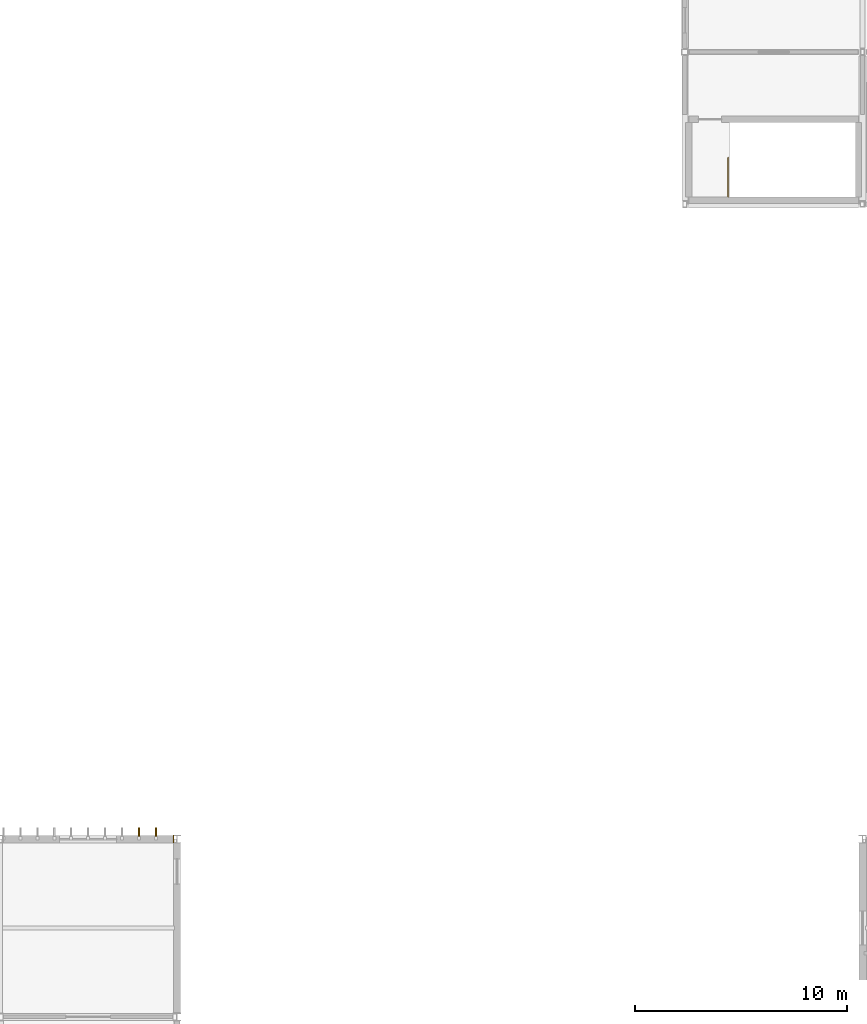
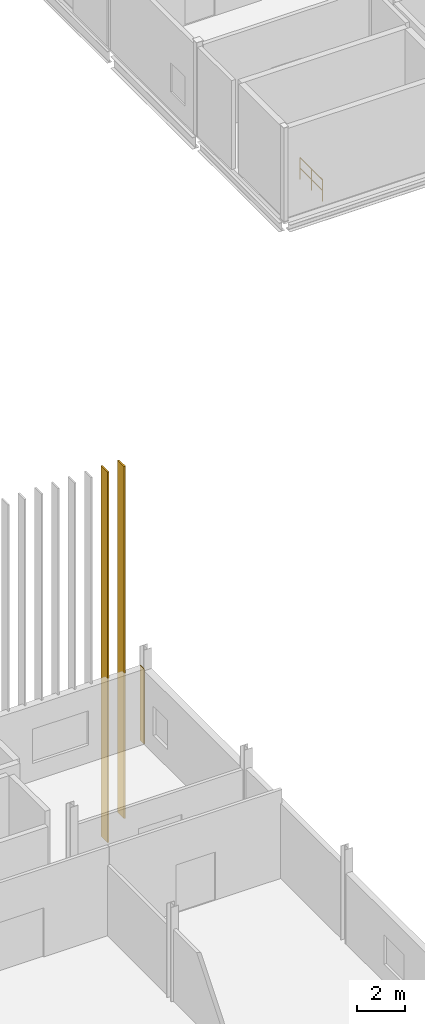
# One storey, part 67 of 72: 3 coverings, 1 railing.
"""IFC4 building model written with IfcOpenShell, lengths in metres."""

from ifc_helpers import new_model, si_unit, direction, frame, origin, origin_2d, place, context, subcontext, project, spatial, polyline, rectangle, circle, outline, extrude, material, layer, layer_set, type_object, element, save


model = new_model("IFC4")

# Units and contexts
model_context = context("Model", 3, precision=1e-05, world=origin(), true_north=direction((0.0, 1.0)))
body_context = subcontext(model_context, "Body", "Model", "MODEL_VIEW")
ifc_project = project(units=[si_unit("LENGTHUNIT", "METRE"), si_unit("AREAUNIT", "SQUARE_METRE"), si_unit("VOLUMEUNIT", "CUBIC_METRE"), si_unit("PLANEANGLEUNIT", "RADIAN"), si_unit("MASSUNIT", "GRAM", prefix="KILO")], contexts=[model_context])

# Site, building, storey
site_placement = place(None, origin())
site = spatial("IfcSite", under=ifc_project, at=site_placement, CompositionType="ELEMENT")
building_placement = place(site_placement, origin())
building = spatial("IfcBuilding", under=site, at=building_placement, Name="Calvrana Isthmian Art Gallery", CompositionType="ELEMENT")
storey_placement = place(building_placement, frame((0.0, 0.0, 15.0)))
storey = spatial("IfcBuildingStorey", under=building, at=storey_placement, Name="L03", CompositionType="ELEMENT", Elevation=15.0)

# Coverings
ifc_material_1 = material(Name="Polychrome glazed terracotta", Category="masonry")
ifc_layer_1 = layer(ifc_material_1, 0.0400390625, Name="Polychrome glazed terracotta")
ifc_layer_set_1 = layer_set([ifc_layer_1], Name="Polychrome glazed terracotta")
covering_type_1 = type_object("IfcCoveringType", Name="COV-CLAD-TERRA", PredefinedType="CLADDING", material=ifc_layer_set_1)
covering_1_placement = place(storey_placement, origin())
element("IfcCovering", 1, at=covering_1_placement, inside=storey, type_object=covering_type_1, Name="Column pocket weather closure L03-09-06-E", PredefinedType="CLADDING", context=body_context, shape_type="SweptSolid", body=[
    extrude(outline(polyline([(80.216064453125, 46.625), (80.256103515625, 46.625), (80.256103515625, 46.97509765625), (80.216064453125, 46.97509765625), (80.216064453125, 46.625)])), origin(), (0.0, 0.0, 1.0), 3.826904296875),
])
ifc_material_2 = material(Name="Anodized bronze aluminium 6063-T6", Category="aluminium")
ifc_layer_2 = layer(ifc_material_2, 0.074951171875, Name="Anodized bronze aluminium 6063-T6")
ifc_layer_set_2 = layer_set([ifc_layer_2], Name="Anodized bronze aluminium 6063-T6")
covering_type_2 = type_object("IfcCoveringType", Name="COV-FIN-550", PredefinedType="CLADDING", material=ifc_layer_set_2)
covering_2_placement = place(storey_placement, frame((78.60009765625, 47.072998046875, -4.550048828125), z_axis=(0.0, 0.0, 1.0), x_axis=(1.0, 0.0, 0.0)))
element("IfcCovering", 2, at=covering_2_placement, inside=storey, type_object=covering_type_2, Name="Anodized bronze vertical solar fin FN-111", PredefinedType="CLADDING", context=body_context, shape_type="SweptSolid", body=[
    extrude(rectangle(XDim=0.074951171875, YDim=0.550048828125, at=origin_2d()), origin(), (0.0, 0.0, 1.0), 18.89990234375),
])
covering_3_placement = place(storey_placement, frame((79.39990234375, 47.072998046875, -3.60009765625), z_axis=(0.0, 0.0, 1.0), x_axis=(1.0, 0.0, 0.0)))
element("IfcCovering", 3, at=covering_3_placement, inside=storey, type_object=covering_type_2, Name="Anodized bronze vertical solar fin FN-112", PredefinedType="CLADDING", context=body_context, shape_type="SweptSolid", body=[
    extrude(rectangle(XDim=0.074951171875, YDim=0.550048828125, at=origin_2d()), origin(), (0.0, 0.0, 1.0), 17.949951171875),
])

# Railing
ifc_material_3 = material(Name="Stainless steel 316", Category="steel")
railing_type = type_object("IfcRailingType", Name="RL-GUARD-1120", PredefinedType="BALUSTRADE", material=ifc_material_3)
railing_placement = place(storey_placement, frame((106.449951171875, 77.14990234375, 0.0)))
element("IfcRailing", 4, at=railing_placement, inside=storey, type_object=railing_type, Name="Stair ST-5 top well guard 1", PredefinedType="BALUSTRADE", context=body_context, shape_type="SweptSolid", body=[
    extrude(circle(Radius=0.02392578125, at=origin_2d()), frame((0.0, 0.0, 1.09619140625), z_axis=(0.0, 1.0, 0.0), x_axis=(-1.0, 0.0, 0.0)), (0.0, 0.0, 1.0), 1.860107421875),
    extrude(circle(Radius=0.02392578125, at=origin_2d()), frame((0.0, 0.0, 0.56005859375), z_axis=(0.0, 1.0, 0.0), x_axis=(-1.0, 0.0, 0.0)), (0.0, 0.0, 1.0), 1.860107421875),
    extrude(circle(Radius=0.02099609375, at=origin_2d()), origin(), (0.0, 0.0, 1.0), 1.072021484375),
    extrude(circle(Radius=0.02099609375, at=origin_2d()), frame((0.0, 0.93017578125, 0.0)), (0.0, 0.0, 1.0), 1.072021484375),
    extrude(circle(Radius=0.02099609375, at=origin_2d()), frame((0.0, 1.860107421875, 0.0)), (0.0, 0.0, 1.0), 1.072021484375),
])

save(model, "model.ifc")
